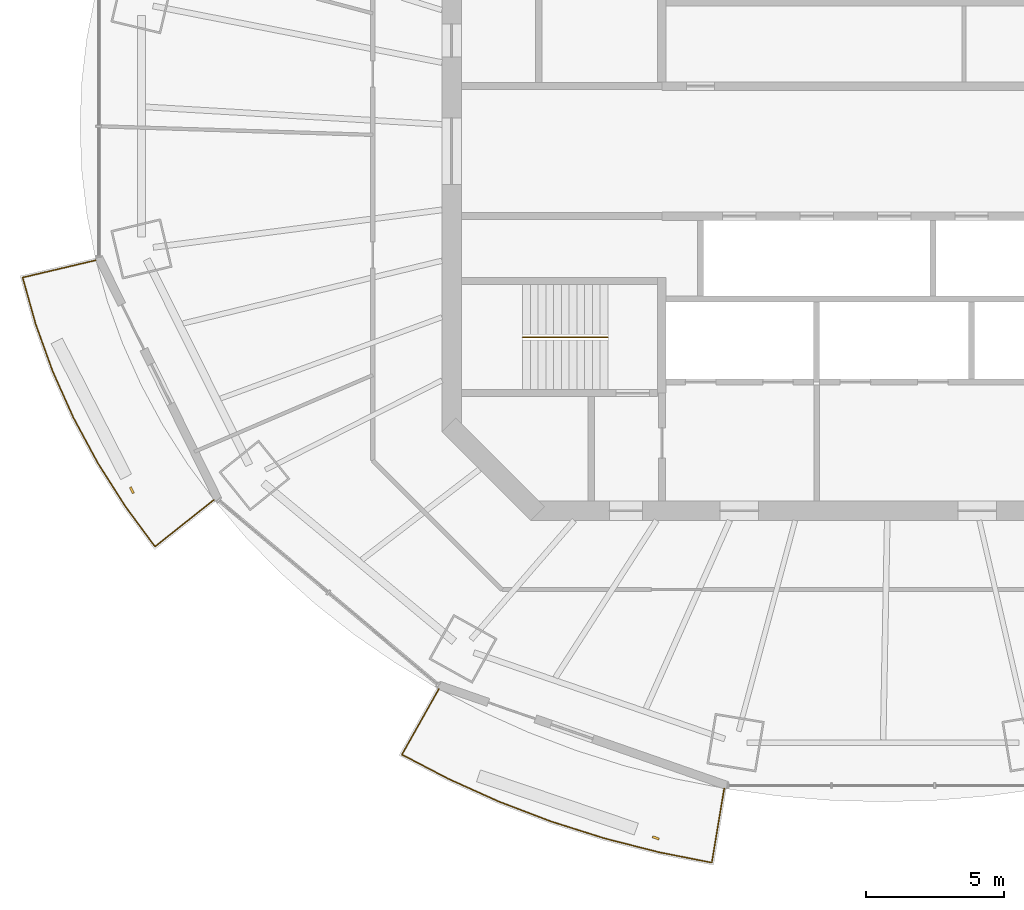
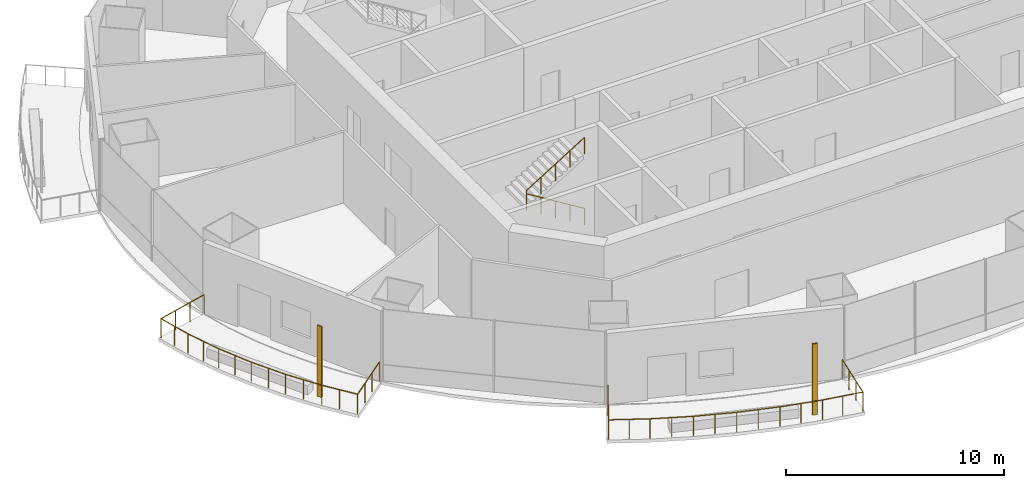
# One storey, part 12 of 16: 3 railings, 2 shading devices.
"""IFC4 building model written with IfcOpenShell, lengths in metres."""

from ifc_helpers import new_model, si_unit, direction, frame, origin, origin_2d, place, context, subcontext, project, spatial, rectangle, circle, extrude, material, material_profile, profile_set, type_object, element, save


model = new_model("IFC4")

# Units and contexts
model_context = context("Model", 3, precision=1e-05, world=origin(), true_north=direction((0.0, 1.0)))
body_context = subcontext(model_context, "Body", "Model", "MODEL_VIEW")
ifc_project = project(units=[si_unit("LENGTHUNIT", "METRE"), si_unit("AREAUNIT", "SQUARE_METRE"), si_unit("VOLUMEUNIT", "CUBIC_METRE"), si_unit("PLANEANGLEUNIT", "RADIAN"), si_unit("MASSUNIT", "GRAM", prefix="KILO")], contexts=[model_context])

# Site, building, storey
site_placement = place(None, origin())
site = spatial("IfcSite", under=ifc_project, at=site_placement, CompositionType="ELEMENT")
building_placement = place(site_placement, origin())
building = spatial("IfcBuilding", under=site, at=building_placement, Name="Marenthal Gate Tower", CompositionType="ELEMENT")
storey_placement = place(building_placement, frame((0.0, 0.0, 284.5)))
storey = spatial("IfcBuildingStorey", under=building, at=storey_placement, Name="L63", CompositionType="ELEMENT", Elevation=284.5)

# Railings
ifc_material_1 = material(Name="Stainless steel", Category="steel")
railing_type_1 = type_object("IfcRailingType", Name="Balcony guard 1100", PredefinedType="GUARDRAIL", material=ifc_material_1)
railing_1_placement = place(storey_placement, frame((-24.593994140625, -12.60595703125, 0.0)))
element("IfcRailing", 1, at=railing_1_placement, inside=storey, type_object=railing_type_1, Name="Balcony guard L63 bay 9", PredefinedType="GUARDRAIL", context=body_context, shape_type="SweptSolid", body=[
    extrude(circle(Radius=0.02392578125, at=origin_2d()), frame((0.0, 0.0, 1.076171875), z_axis=(-0.783212380728, -0.621580033106, -0.014718325936), x_axis=(0.621647370214, -0.783297227817, 0.0)), (0.0, 0.0, 1.0), 2.720458984375),
    extrude(circle(Radius=0.02392578125, at=origin_2d()), frame((-2.130615234375, -1.69091796875, 1.0361328125), z_axis=(-0.593175870863, 0.805072907398, 0.0), x_axis=(-0.805072907398, -0.593175870863, 0.0)), (0.0, 0.0, 1.0), 1.79736328125),
    extrude(circle(Radius=0.02392578125, at=origin_2d()), frame((-3.19677734375, -0.243896484375, 1.0361328125), z_axis=(-0.536341470097, 0.844001082614, 0.0), x_axis=(-0.844001082614, -0.536341470097, 0.0)), (0.0, 0.0, 1.0), 1.864013671875),
    extrude(circle(Radius=0.02392578125, at=origin_2d()), frame((-4.196533203125, 1.329345703125, 1.0361328125), z_axis=(-0.474178476771, 0.880428743379, 0.0), x_axis=(-0.880428743379, -0.474178476771, 0.0)), (0.0, 0.0, 1.0), 1.85107421875),
    extrude(circle(Radius=0.02392578125, at=origin_2d()), frame((-5.07421875, 2.958984375, 1.0361328125), z_axis=(-0.408427160426, 0.912790915066, 0.0), x_axis=(-0.912790915066, -0.408427160426, 0.0)), (0.0, 0.0, 1.0), 1.83984375),
    extrude(circle(Radius=0.02392578125, at=origin_2d()), frame((-5.82568359375, 4.638427734375, 1.0361328125), z_axis=(-0.339224848664, 0.94070532158, 0.0), x_axis=(-0.94070532158, -0.339224848664, 0.0)), (0.0, 0.0, 1.0), 1.830322265625),
    extrude(circle(Radius=0.02392578125, at=origin_2d()), frame((-6.446533203125, 6.360107421875, 1.0361328125), z_axis=(-0.268792920524, 0.963197988929, 0.0), x_axis=(-0.963197988929, -0.268792920524, 0.0)), (0.0, 0.0, 1.0), 1.7421875),
    extrude(circle(Radius=0.02392578125, at=origin_2d()), frame((-6.914794921875, 8.0380859375, 1.0361328125), z_axis=(0.973117172157, 0.229839811666, 0.014718363574), x_axis=(-0.229864710837, 0.973222592582, 0.0)), (0.0, 0.0, 1.0), 2.720458984375),
    extrude(circle(Radius=0.02099609375, at=origin_2d()), origin(), (0.0, 0.0, 1.0), 1.052001953125),
    extrude(circle(Radius=0.02099609375, at=origin_2d()), frame((-0.710205078125, -0.563720703125, -0.013427734375)), (0.0, 0.0, 1.0), 1.052001953125),
    extrude(circle(Radius=0.02099609375, at=origin_2d()), frame((-1.42041015625, -1.127197265625, -0.026611328125)), (0.0, 0.0, 1.0), 1.052001953125),
    extrude(circle(Radius=0.02099609375, at=origin_2d()), frame((-2.130615234375, -1.69091796875, -0.0400390625)), (0.0, 0.0, 1.0), 1.052001953125),
    extrude(circle(Radius=0.02099609375, at=origin_2d()), frame((-2.66357421875, -0.96728515625, -0.0400390625)), (0.0, 0.0, 1.0), 1.052001953125),
    extrude(circle(Radius=0.02099609375, at=origin_2d()), frame((-3.19677734375, -0.243896484375, -0.0400390625)), (0.0, 0.0, 1.0), 1.052001953125),
    extrude(circle(Radius=0.02099609375, at=origin_2d()), frame((-3.69677734375, 0.542724609375, -0.0400390625)), (0.0, 0.0, 1.0), 1.052001953125),
    extrude(circle(Radius=0.02099609375, at=origin_2d()), frame((-4.196533203125, 1.329345703125, -0.0400390625)), (0.0, 0.0, 1.0), 1.052001953125),
    extrude(circle(Radius=0.02099609375, at=origin_2d()), frame((-4.63525390625, 2.14404296875, -0.0400390625)), (0.0, 0.0, 1.0), 1.052001953125),
    extrude(circle(Radius=0.02099609375, at=origin_2d()), frame((-5.07421875, 2.958984375, -0.0400390625)), (0.0, 0.0, 1.0), 1.052001953125),
    extrude(circle(Radius=0.02099609375, at=origin_2d()), frame((-5.449951171875, 3.798828125, -0.0400390625)), (0.0, 0.0, 1.0), 1.052001953125),
    extrude(circle(Radius=0.02099609375, at=origin_2d()), frame((-5.82568359375, 4.638427734375, -0.0400390625)), (0.0, 0.0, 1.0), 1.052001953125),
    extrude(circle(Radius=0.02099609375, at=origin_2d()), frame((-6.13623046875, 5.499267578125, -0.0400390625)), (0.0, 0.0, 1.0), 1.052001953125),
    extrude(circle(Radius=0.02099609375, at=origin_2d()), frame((-6.446533203125, 6.360107421875, -0.0400390625)), (0.0, 0.0, 1.0), 1.052001953125),
    extrude(circle(Radius=0.02099609375, at=origin_2d()), frame((-6.6806640625, 7.19921875, -0.0400390625)), (0.0, 0.0, 1.0), 1.052001953125),
    extrude(circle(Radius=0.02099609375, at=origin_2d()), frame((-6.914794921875, 8.0380859375, -0.0400390625)), (0.0, 0.0, 1.0), 1.052001953125),
    extrude(circle(Radius=0.02099609375, at=origin_2d()), frame((-6.032470703125, 8.24658203125, -0.026611328125)), (0.0, 0.0, 1.0), 1.052001953125),
    extrude(circle(Radius=0.02099609375, at=origin_2d()), frame((-5.14990234375, 8.454833984375, -0.013427734375)), (0.0, 0.0, 1.0), 1.052001953125),
    extrude(circle(Radius=0.02099609375, at=origin_2d()), frame((-4.267578125, 8.663330078125, 0.0)), (0.0, 0.0, 1.0), 1.052001953125),
])
railing_2_placement = place(storey_placement, frame((-6.143798828125, -23.04052734375, 0.0)))
element("IfcRailing", 2, at=railing_2_placement, inside=storey, type_object=railing_type_1, Name="Balcony guard L63 bay 11", PredefinedType="GUARDRAIL", context=body_context, shape_type="SweptSolid", body=[
    extrude(circle(Radius=0.02392578125, at=origin_2d()), frame((0.0, 0.0, 1.076171875), z_axis=(-0.16513793129, -0.986160646201, -0.014718815615), x_axis=(0.986267486225, -0.165155822229, 0.0)), (0.0, 0.0, 1.0), 2.72021484375),
    extrude(circle(Radius=0.02392578125, at=origin_2d()), frame((-0.44921875, -2.6826171875, 1.0361328125), z_axis=(-0.981099886126, 0.193501972712, 0.0), x_axis=(-0.193501972712, -0.981099886126, 0.0)), (0.0, 0.0, 1.0), 1.958251953125),
    extrude(circle(Radius=0.02392578125, at=origin_2d()), frame((-2.370361328125, -2.3037109375, 1.0361328125), z_axis=(-0.968956946338, 0.24722952118, 0.0), x_axis=(-0.24722952118, -0.968956946338, 0.0)), (0.0, 0.0, 1.0), 2.0302734375),
    extrude(circle(Radius=0.02392578125, at=origin_2d()), frame((-4.337646484375, -1.8017578125, 1.0361328125), z_axis=(-0.953335850503, 0.301911835054, 0.0), x_axis=(-0.301911835054, -0.953335850503, 0.0)), (0.0, 0.0, 1.0), 2.020751953125),
    extrude(circle(Radius=0.02392578125, at=origin_2d()), frame((-6.26416015625, -1.191650390625, 1.0361328125), z_axis=(-0.934433846475, 0.356136752614, 0.0), x_axis=(-0.356136752614, -0.934433846475, 0.0)), (0.0, 0.0, 1.0), 2.010009765625),
    extrude(circle(Radius=0.02392578125, at=origin_2d()), frame((-8.142333984375, -0.475830078125, 1.0361328125), z_axis=(-0.912054102505, 0.410069889293, 0.0), x_axis=(-0.410069889293, -0.912054102505, 0.0)), (0.0, 0.0, 1.0), 1.99755859375),
    extrude(circle(Radius=0.02392578125, at=origin_2d()), frame((-9.964111328125, 0.34326171875, 1.0361328125), z_axis=(-0.886708263063, 0.462329380654, 0.0), x_axis=(-0.462329380654, -0.886708263063, 0.0)), (0.0, 0.0, 1.0), 1.904296875),
    extrude(circle(Radius=0.02392578125, at=origin_2d()), frame((-11.652587890625, 1.2236328125, 1.0361328125), z_axis=(0.490216651265, 0.871476324383, 0.014719064593), x_axis=(-0.871570742774, 0.490269762825, 0.0)), (0.0, 0.0, 1.0), 2.72021484375),
    extrude(circle(Radius=0.02099609375, at=origin_2d()), origin(), (0.0, 0.0, 1.0), 1.052001953125),
    extrude(circle(Radius=0.02099609375, at=origin_2d()), frame((-0.149658203125, -0.894287109375, -0.013427734375)), (0.0, 0.0, 1.0), 1.052001953125),
    extrude(circle(Radius=0.02099609375, at=origin_2d()), frame((-0.299560546875, -1.788330078125, -0.026611328125)), (0.0, 0.0, 1.0), 1.052001953125),
    extrude(circle(Radius=0.02099609375, at=origin_2d()), frame((-0.44921875, -2.6826171875, -0.0400390625)), (0.0, 0.0, 1.0), 1.052001953125),
    extrude(circle(Radius=0.02099609375, at=origin_2d()), frame((-1.40966796875, -2.4931640625, -0.0400390625)), (0.0, 0.0, 1.0), 1.052001953125),
    extrude(circle(Radius=0.02099609375, at=origin_2d()), frame((-2.370361328125, -2.3037109375, -0.0400390625)), (0.0, 0.0, 1.0), 1.052001953125),
    extrude(circle(Radius=0.02099609375, at=origin_2d()), frame((-3.35400390625, -2.052734375, -0.0400390625)), (0.0, 0.0, 1.0), 1.052001953125),
    extrude(circle(Radius=0.02099609375, at=origin_2d()), frame((-4.337646484375, -1.8017578125, -0.0400390625)), (0.0, 0.0, 1.0), 1.052001953125),
    extrude(circle(Radius=0.02099609375, at=origin_2d()), frame((-5.30078125, -1.49658203125, -0.0400390625)), (0.0, 0.0, 1.0), 1.052001953125),
    extrude(circle(Radius=0.02099609375, at=origin_2d()), frame((-6.26416015625, -1.191650390625, -0.0400390625)), (0.0, 0.0, 1.0), 1.052001953125),
    extrude(circle(Radius=0.02099609375, at=origin_2d()), frame((-7.203125, -0.833740234375, -0.0400390625)), (0.0, 0.0, 1.0), 1.052001953125),
    extrude(circle(Radius=0.02099609375, at=origin_2d()), frame((-8.142333984375, -0.475830078125, -0.0400390625)), (0.0, 0.0, 1.0), 1.052001953125),
    extrude(circle(Radius=0.02099609375, at=origin_2d()), frame((-9.05322265625, -0.06640625, -0.0400390625)), (0.0, 0.0, 1.0), 1.052001953125),
    extrude(circle(Radius=0.02099609375, at=origin_2d()), frame((-9.964111328125, 0.34326171875, -0.0400390625)), (0.0, 0.0, 1.0), 1.052001953125),
    extrude(circle(Radius=0.02099609375, at=origin_2d()), frame((-10.808349609375, 0.783447265625, -0.0400390625)), (0.0, 0.0, 1.0), 1.052001953125),
    extrude(circle(Radius=0.02099609375, at=origin_2d()), frame((-11.652587890625, 1.2236328125, -0.0400390625)), (0.0, 0.0, 1.0), 1.052001953125),
    extrude(circle(Radius=0.02099609375, at=origin_2d()), frame((-11.2080078125, 2.013916015625, -0.026611328125)), (0.0, 0.0, 1.0), 1.052001953125),
    extrude(circle(Radius=0.02099609375, at=origin_2d()), frame((-10.763671875, 2.803955078125, -0.013427734375)), (0.0, 0.0, 1.0), 1.052001953125),
    extrude(circle(Radius=0.02099609375, at=origin_2d()), frame((-10.319091796875, 3.59423828125, 0.0)), (0.0, 0.0, 1.0), 1.052001953125),
])
ifc_material_2 = material(Name="Stainless steel", Category="steel")
railing_type_2 = type_object("IfcRailingType", Name="Stair handrail", PredefinedType="HANDRAIL", material=ifc_material_2)
railing_3_placement = place(storey_placement, frame((-10.35009765625, -6.72509765625, 0.1728515625)))
element("IfcRailing", 3, at=railing_3_placement, inside=storey, type_object=railing_type_2, Name="Handrail ST2", PredefinedType="HANDRAIL", context=body_context, shape_type="SweptSolid", body=[
    extrude(circle(Radius=0.0224609375, at=origin_2d()), frame((0.0, 0.0, 0.927490234375), z_axis=(-0.850816621229, 0.0, 0.525462726595), x_axis=(0.0, -1.0, 0.0)), (0.0, 0.0, 1.0), 3.619873046875),
    extrude(circle(Radius=0.0224609375, at=origin_2d()), frame((-3.079833984375, 0.0, 2.82958984375), z_axis=(0.0, 0.0, 1.0), x_axis=(1.0, 0.0, 0.0)), (0.0, 0.0, 1.0), 0.1728515625),
    extrude(circle(Radius=0.0224609375, at=origin_2d()), frame((-3.079833984375, 0.0, 3.00244140625), z_axis=(0.850816621229, 0.0, 0.525462726595), x_axis=(0.0, 1.0, 0.0)), (0.0, 0.0, 1.0), 3.619873046875),
    extrude(circle(Radius=0.02001953125, at=origin_2d()), origin(), (0.0, 0.0, 1.0), 0.905029296875),
    extrude(circle(Radius=0.02001953125, at=origin_2d()), frame((-0.77001953125, 0.0, 0.4755859375)), (0.0, 0.0, 1.0), 0.905029296875),
    extrude(circle(Radius=0.02001953125, at=origin_2d()), frame((-1.5400390625, 0.0, 0.951171875)), (0.0, 0.0, 1.0), 0.905029296875),
    extrude(circle(Radius=0.02001953125, at=origin_2d()), frame((-2.309814453125, 0.0, 1.426513671875)), (0.0, 0.0, 1.0), 0.905029296875),
    extrude(circle(Radius=0.02001953125, at=origin_2d()), frame((-3.079833984375, 0.0, 1.902099609375)), (0.0, 0.0, 1.0), 0.905029296875),
    extrude(circle(Radius=0.02001953125, at=origin_2d()), frame((-3.079833984375, 0.0, 2.074951171875)), (0.0, 0.0, 1.0), 0.905029296875),
    extrude(circle(Radius=0.02001953125, at=origin_2d()), frame((-2.309814453125, 0.0, 2.550537109375)), (0.0, 0.0, 1.0), 0.905029296875),
    extrude(circle(Radius=0.02001953125, at=origin_2d()), frame((-1.5400390625, 0.0, 3.02587890625)), (0.0, 0.0, 1.0), 0.905029296875),
    extrude(circle(Radius=0.02001953125, at=origin_2d()), frame((-0.77001953125, 0.0, 3.50146484375)), (0.0, 0.0, 1.0), 0.905029296875),
    extrude(circle(Radius=0.02001953125, at=origin_2d()), frame((0.0, 0.0, 3.97705078125)), (0.0, 0.0, 1.0), 0.905029296875),
])

# Shading devices
ifc_material_3 = material(Name="Terracotta", Category="masonry")
ifc_material_profile = material_profile(ifc_material_3, rectangle(XDim=0.25, YDim=0.080078125, at=origin_2d()), Name="Terracotta baguette 250x80")
ifc_profile_set = profile_set([ifc_material_profile], Name="Terracotta")
shading_device_type = type_object("IfcShadingDeviceType", Name="Terracotta BAGUETTE SCREEN 250x80", PredefinedType="USERDEFINED", material=ifc_profile_set)
for number, where, z_axis, x_axis, name in (
    (4, (-27.560546875, -12.257080078125, -0.0400390625), (0.0, 0.0, 1.0), (0.441711416968, -0.897157190307, 0.0), "Terracotta BAGUETTE L63 bay 9R"),
    (5, (-8.619140625, -24.828125, -0.0400390625), (0.0, 0.0, 1.0), (0.944304873933, -0.329071884345, 0.0), "Terracotta BAGUETTE L63 bay 11R"),
):
    element("IfcShadingDevice", number, at=place(storey_placement, frame(where, z_axis=z_axis, x_axis=x_axis)), inside=storey, type_object=shading_device_type, Name=name, ObjectType="BAGUETTE SCREEN", PredefinedType="USERDEFINED", context=body_context, shape_type="SweptSolid", body=[
        extrude(rectangle(XDim=0.25, YDim=0.080078125, at=origin_2d()), origin(), (0.0, 0.0, 1.0), 3.969970703125),
    ])

save(model, "model.ifc")
